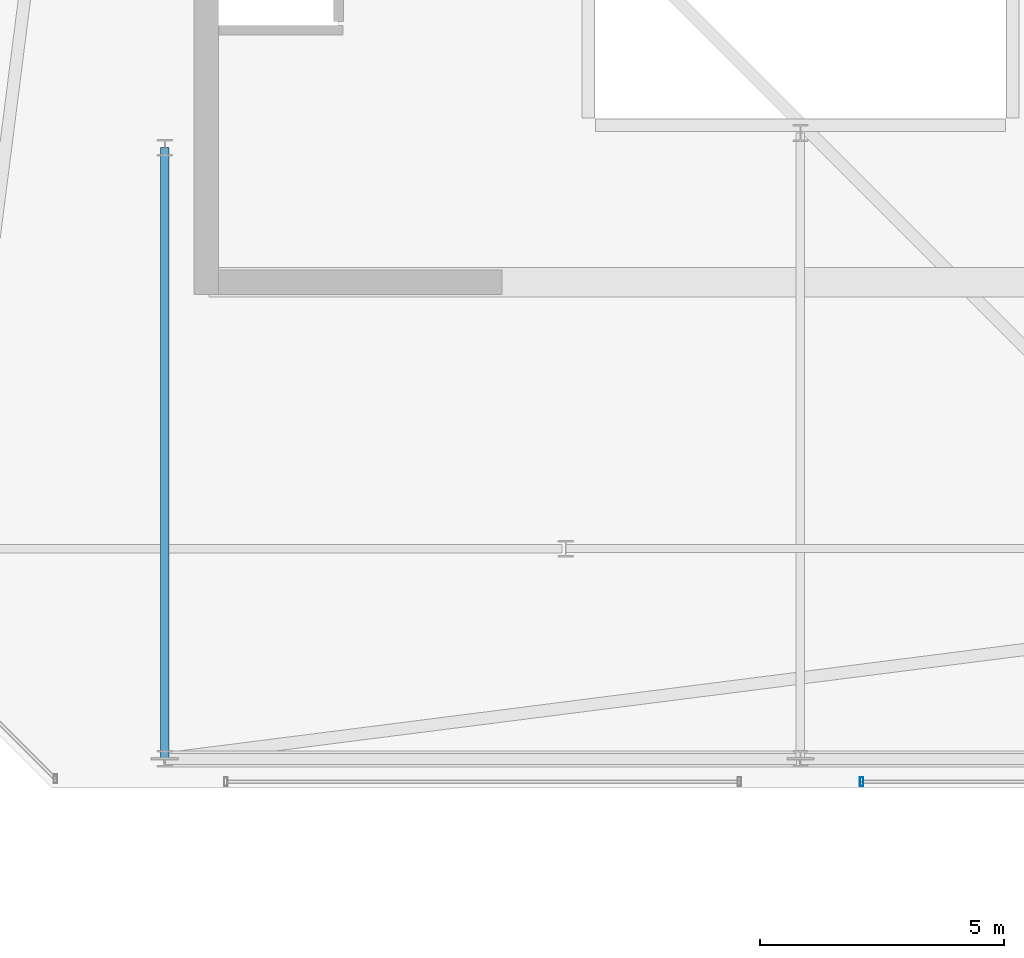
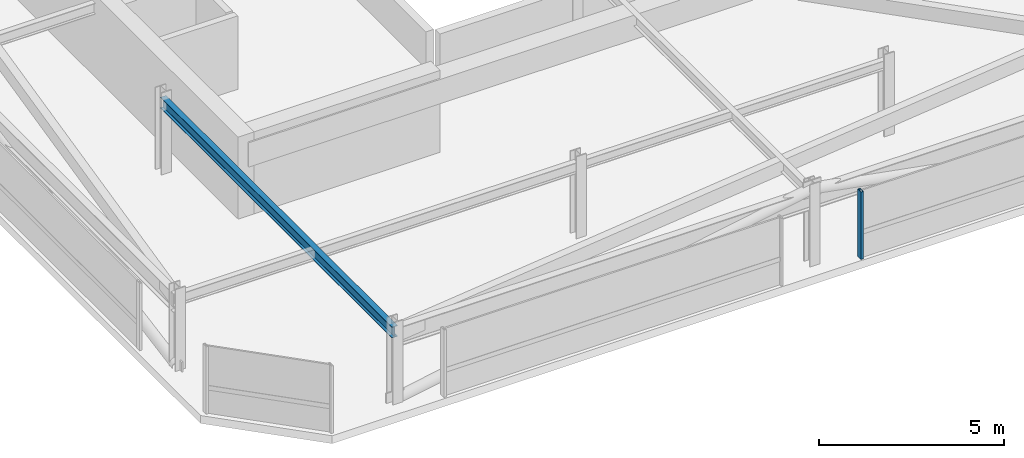
# One storey, part 28 of 42: 1 beam, 1 member, 1 element without a shape of its own.
"""IFC4 building model written with IfcOpenShell, lengths in metres."""

import ifcopenshell
import ifcopenshell.guid

model = None  # the IFC model being written
_history = None  # IfcOwnerHistory: only IFC2X3 demands one
_inside = {}  # id of a spatial element -> (the spatial element, [elements in it])
_under = {}  # id of a project, library or spatial element -> (it, [spatial elements below it])
_declared = {}  # id of a project -> (the project, [libraries it declares])
_typed = {}  # id of a type object -> (the type object, [elements of that type])
_made_of = {}  # id of a material, layer set ... -> (it, [elements and type objects made of it])


def new_model(schema):
    """Start an empty IFC model of exactly this schema.

    Asked for "IFC4X3", IfcOpenShell would pick the latest addendum, in which some entities
    have other attributes; the version numbers below select the first issue.
    IFC2X3 requires an IfcOwnerHistory on every rooted entity: one is made here for all.
    """
    global model, _history
    if schema == "IFC4X3":
        model = ifcopenshell.file(schema_version=(4, 3, 0, 0))
    else:
        model = ifcopenshell.file(schema=schema)
    _inside.clear()
    _under.clear()
    _declared.clear()
    _typed.clear()
    _made_of.clear()
    _history = None
    if model.schema == "IFC2X3":
        org = make("IfcOrganization", Name="unknown")
        user = make(
            "IfcPersonAndOrganization",
            ThePerson=make("IfcPerson", FamilyName="unknown"),
            TheOrganization=org,
        )
        app = make(
            "IfcApplication",
            ApplicationDeveloper=org,
            Version="unknown",
            ApplicationFullName="unknown",
            ApplicationIdentifier="unknown",
        )
        _history = make(
            "IfcOwnerHistory",
            OwningUser=user,
            OwningApplication=app,
            ChangeAction="ADDED",
            CreationDate=0,
        )
    return model


def make(cls, **values):
    """One entity of the class cls with the attributes given. An attribute that is None is left unset."""
    return model.create_entity(
        cls, **{name: value for name, value in values.items() if value is not None}
    )


def rooted(cls, **values):
    """An entity with a GlobalId (a new one), such as an element, a storey or a relation."""
    return make(cls, GlobalId=ifcopenshell.guid.new(), OwnerHistory=_history, **values)


def si_unit(unit_type, name, prefix=None):
    """IfcSIUnit, for example si_unit("LENGTHUNIT", "METRE", prefix="MILLI")."""
    return make("IfcSIUnit", UnitType=unit_type, Prefix=prefix, Name=name)


def assignment(units):
    """IfcUnitAssignment: the units of a project."""
    return None if units is None else make("IfcUnitAssignment", Units=units)


def point(xyz):
    """IfcCartesianPoint."""
    return None if xyz is None else make("IfcCartesianPoint", Coordinates=xyz)


def direction(xyz):
    """IfcDirection."""
    return None if xyz is None else make("IfcDirection", DirectionRatios=xyz)


def frame(location, z_axis=None, x_axis=None):
    """IfcAxis2Placement3D, a coordinate frame: its origin and axes. An axis left out is left unset."""
    return make(
        "IfcAxis2Placement3D",
        Location=point(location),
        Axis=direction(z_axis),
        RefDirection=direction(x_axis),
    )


def frame_2d(location, x_axis=None):
    """IfcAxis2Placement2D, a coordinate frame in the plane: its origin and x axis."""
    return make(
        "IfcAxis2Placement2D", Location=point(location), RefDirection=direction(x_axis)
    )


def origin():
    """The frame at (0, 0, 0) with its axes left unset."""
    return frame((0.0, 0.0, 0.0))


def origin_2d():
    """The frame at (0, 0) in the plane with its x axis left unset."""
    return frame_2d((0.0, 0.0))


def place(relative_to, where):
    """IfcLocalPlacement: puts the frame where relative to a parent placement (None: the world)."""
    return make(
        "IfcLocalPlacement", PlacementRelTo=relative_to, RelativePlacement=where
    )


def context(
    kind, dimensions, precision=None, world=None, true_north=None, identifier=None
):
    """IfcGeometricRepresentationContext, for example the 3D "Model" context."""
    return make(
        "IfcGeometricRepresentationContext",
        ContextIdentifier=identifier,
        ContextType=kind,
        CoordinateSpaceDimension=dimensions,
        Precision=precision,
        WorldCoordinateSystem=world,
        TrueNorth=true_north,
    )


def subcontext(parent, identifier, kind, view, scale=None):
    """IfcGeometricRepresentationSubContext, for example "Body" below "Model"."""
    return make(
        "IfcGeometricRepresentationSubContext",
        ContextIdentifier=identifier,
        ContextType=kind,
        ParentContext=parent,
        TargetScale=scale,
        TargetView=view,
    )


def project(units=None, contexts=None):
    """IfcProject with its units and contexts."""
    return rooted(
        "IfcProject",
        Name="project",
        RepresentationContexts=contexts,
        UnitsInContext=assignment(units),
    )


def spatial(cls, under=None, at=None, **own):
    """A site, building, storey or space (cls), placed at a placement, below another one or the project."""
    s = rooted(cls, ObjectPlacement=at, **own)
    if under is not None:
        _under.setdefault(under.id(), (under, []))[1].append(s)
    return s


def profile(cls, at=None, kind="AREA", **sizes):
    """A parametric profile (cls). Its sizes go by their IFC names, for example OverallWidth=200.0."""
    return make(cls, ProfileType=kind, Position=at, **sizes)


def hollow_rectangle(**sizes):
    """IfcRectangleHollowProfileDef."""
    return profile("IfcRectangleHollowProfileDef", **sizes)


def i_section(**sizes):
    """IfcIShapeProfileDef."""
    return profile("IfcIShapeProfileDef", **sizes)


def extrude(swept, where, along, depth):
    """IfcExtrudedAreaSolid: the profile swept, set in the frame where, extruded along a direction by depth."""
    return make(
        "IfcExtrudedAreaSolid",
        SweptArea=swept,
        Position=where,
        ExtrudedDirection=direction(along),
        Depth=depth,
    )


def shape(context_of_items, identifier, shape_type, items):
    """IfcShapeRepresentation: the items that make up one representation, for example the "Body"."""
    return make(
        "IfcShapeRepresentation",
        ContextOfItems=context_of_items,
        RepresentationIdentifier=identifier,
        RepresentationType=shape_type,
        Items=items,
    )


def material(Name=None, Category=None):
    """IfcMaterial."""
    return make("IfcMaterial", Name=Name, Category=Category)


def material_profile(
    of_material, cross_section, Name=None, Category=None, Priority=None
):
    """IfcMaterialProfile: a cross section and its material."""
    return make(
        "IfcMaterialProfile",
        Name=Name,
        Material=of_material,
        Profile=cross_section,
        Priority=Priority,
        Category=Category,
    )


def profile_set(profiles, Name=None, composite=None):
    """IfcMaterialProfileSet."""
    return make(
        "IfcMaterialProfileSet",
        Name=Name,
        MaterialProfiles=profiles,
        CompositeProfile=composite,
    )


def made_of(thing, what):
    """Note that an element or type object is made of a material, layer set ...; save() writes the relation."""
    if what is not None:
        _made_of.setdefault(what.id(), (what, []))[1].append(thing)
    return thing


def type_object(cls, material=None, **own):
    """A type object (cls), such as IfcWallType, which elements share."""
    return made_of(rooted(cls, **own), material)


def element(
    cls,
    number,
    at=None,
    inside=None,
    cuts=None,
    type_object=None,
    material=None,
    context=None,
    identifier="Body",
    shape_type=None,
    held_by="IfcProductDefinitionShape",
    body=None,
    shapes=None,
    **own,
):
    """One element of the class cls, such as IfcWall. Its Tag is "e" and its number.

    at: its placement. inside: the storey or other place that contains it. cuts: it is an
    opening in that element (IfcRelVoidsElement). A single representation is given by context,
    identifier, shape_type and body (its items); several are given by shapes. held_by: the class
    of the entity that holds the representations. save() writes the other relations.
    """
    e = rooted(cls, Tag="e%d" % number, ObjectPlacement=at, **own)
    if body is not None:
        shapes = [shape(context, identifier, shape_type, body)]
    if shapes is not None:
        e.Representation = make(held_by, Representations=shapes)
    if inside is not None:
        _inside.setdefault(inside.id(), (inside, []))[1].append(e)
    if cuts is not None:
        rooted(
            "IfcRelVoidsElement", RelatingBuildingElement=cuts, RelatedOpeningElement=e
        )
    if type_object is not None:
        _typed.setdefault(type_object.id(), (type_object, []))[1].append(e)
    return made_of(e, material)


def aggregate(whole, parts):
    """IfcRelAggregates: a whole, such as a stair, and the parts it consists of."""
    return rooted("IfcRelAggregates", RelatingObject=whole, RelatedObjects=parts)


def save(model, path):
    """Write the relations noted so far, then the file.

    IfcRelAggregates (storeys below a building ...), IfcRelContainedInSpatialStructure (elements
    in a storey), IfcRelDefinesByType, IfcRelAssociatesMaterial and IfcRelDeclares: one each for
    every whole, place, type object, material and project.
    """
    for whole, parts in _under.values():
        aggregate(whole, parts)
    for where, things in _inside.values():
        rooted(
            "IfcRelContainedInSpatialStructure",
            RelatedElements=things,
            RelatingStructure=where,
        )
    for kind, things in _typed.values():
        rooted("IfcRelDefinesByType", RelatedObjects=things, RelatingType=kind)
    for what, things in _made_of.values():
        rooted("IfcRelAssociatesMaterial", RelatedObjects=things, RelatingMaterial=what)
    for by, libraries in _declared.values():
        rooted("IfcRelDeclares", RelatingContext=by, RelatedDefinitions=libraries)
    model.write(path)


model = new_model("IFC4")

# Units and contexts
model_context = context("Model", 3, precision=1e-05, world=origin(), true_north=direction((0.0, 1.0)))
body_context = subcontext(model_context, "Body", "Model", "MODEL_VIEW")
ifc_project = project(units=[si_unit("LENGTHUNIT", "METRE"), si_unit("AREAUNIT", "SQUARE_METRE"), si_unit("VOLUMEUNIT", "CUBIC_METRE"), si_unit("PLANEANGLEUNIT", "RADIAN"), si_unit("MASSUNIT", "GRAM", prefix="KILO")], contexts=[model_context])

# Site, building, storey
site_placement = place(None, origin())
site = spatial("IfcSite", under=ifc_project, at=site_placement, CompositionType="ELEMENT")
building_placement = place(site_placement, origin())
building = spatial("IfcBuilding", under=site, at=building_placement, Name="Thornwick Lancets Civic Towers", CompositionType="ELEMENT")
storey_placement = place(building_placement, frame((0.0, 0.0, 284.10009765625)))
storey = spatial("IfcBuildingStorey", under=building, at=storey_placement, Name="C02", CompositionType="ELEMENT", Elevation=284.10009765625)

# Beam
ifc_material_1 = material(Name="Steel S355JR", Category="steel")
ifc_material_profile_1 = material_profile(ifc_material_1, i_section(OverallWidth=0.173095703125, OverallDepth=0.36328125, WebThickness=0.009033203125, FlangeThickness=0.015625, FilletRadius=0.01025390625, at=origin_2d()), Name="UKB 356x171x67")
ifc_profile_set_1 = profile_set([ifc_material_profile_1], Name="Steel S355JR")
beam_type = type_object("IfcBeamType", Name="BM_JOIST_356_67", PredefinedType="JOIST", material=ifc_profile_set_1)
beam_placement = place(storey_placement, frame((75.5, 22.199951171875, 2.25830078125), z_axis=(0.0, -1.0, 0.0), x_axis=(1.0, 0.0, 0.0)))
element("IfcBeam", 1, at=beam_placement, inside=storey, type_object=beam_type, Name="BM-RADIN-C02-B12", PredefinedType="JOIST", context=body_context, shape_type="SweptSolid", body=[
    extrude(i_section(OverallWidth=0.173095703125, OverallDepth=0.36328125, WebThickness=0.009033203125, FlangeThickness=0.015625, FilletRadius=0.01025390625, at=origin_2d()), origin(), (0.0, 0.0, 1.0), 12.5),
])

# Curtain wall, member
ifc_material_2 = material(Name="Crown ring acoustic-louvre and glazing screen wall", Category="glass")
curtain_wall_type = type_object("IfcCurtainWallType", Name="CW_SYS_07", PredefinedType="NOTDEFINED", material=ifc_material_2)
curtain_wall_placement = place(storey_placement, origin())
curtain_wall = element("IfcCurtainWall", 2, at=curtain_wall_placement, inside=storey, type_object=curtain_wall_type, Name="C02 Curtain Wall CW-C02-B-E0-S2", PredefinedType="NOTDEFINED")
ifc_material_3 = material(Name="Thermally broken bronze aluminium S355", Category="steel")
ifc_material_profile_2 = material_profile(ifc_material_3, hollow_rectangle(XDim=0.074951171875, YDim=0.179931640625, WallThickness=0.006103515625, at=origin_2d()), Name="RHS 180x75x6")
ifc_profile_set_2 = profile_set([ifc_material_profile_2], Name="Thermally broken bronze aluminium S355")
member_type = type_object("IfcMemberType", Name="CW_MUL_180", PredefinedType="MULLION", material=ifc_profile_set_2)
member_placement = place(storey_placement, frame((89.75, 9.2353515625, 0.0), z_axis=(0.0, 0.0, 1.0), x_axis=(1.0, 0.0, 0.0)))
member = element("IfcMember", 3, at=member_placement, type_object=member_type, Name="CW-C02-B-E0-S2 Mullion 0", PredefinedType="MULLION", context=body_context, shape_type="SweptSolid", body=[
    extrude(hollow_rectangle(XDim=0.074951171875, YDim=0.179931640625, WallThickness=0.006103515625, at=origin_2d()), origin(), (0.0, 0.0, 1.0), 2.219970703125),
])
aggregate(curtain_wall, [member])

save(model, "model.ifc")
